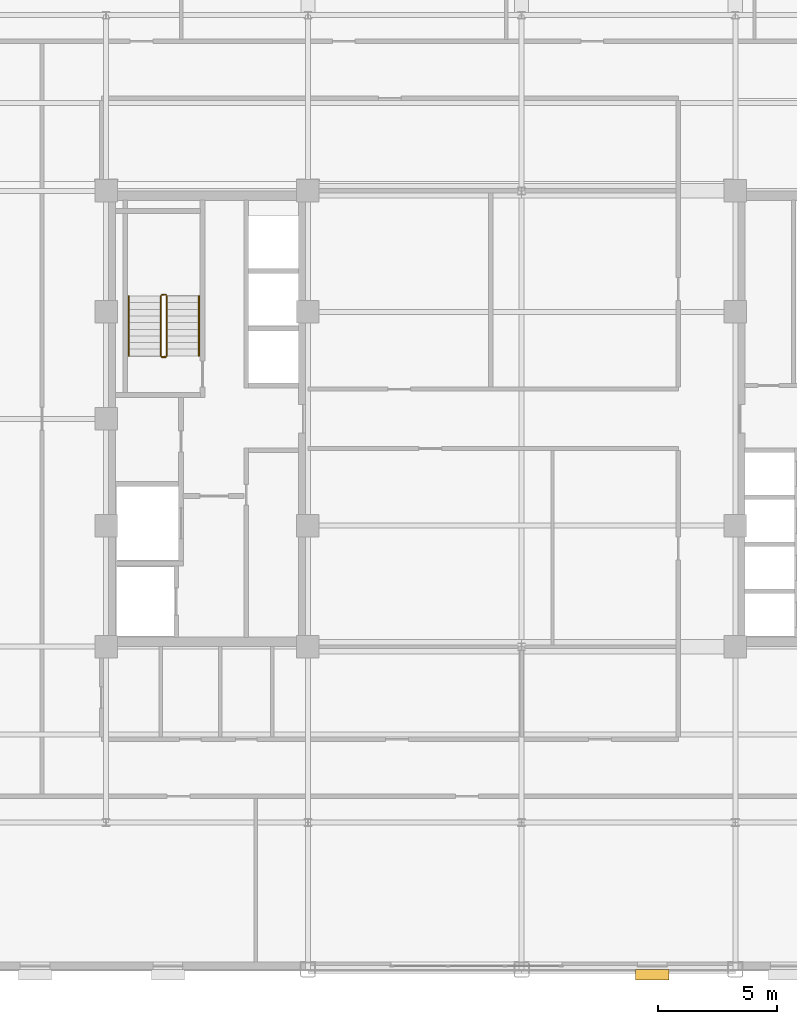
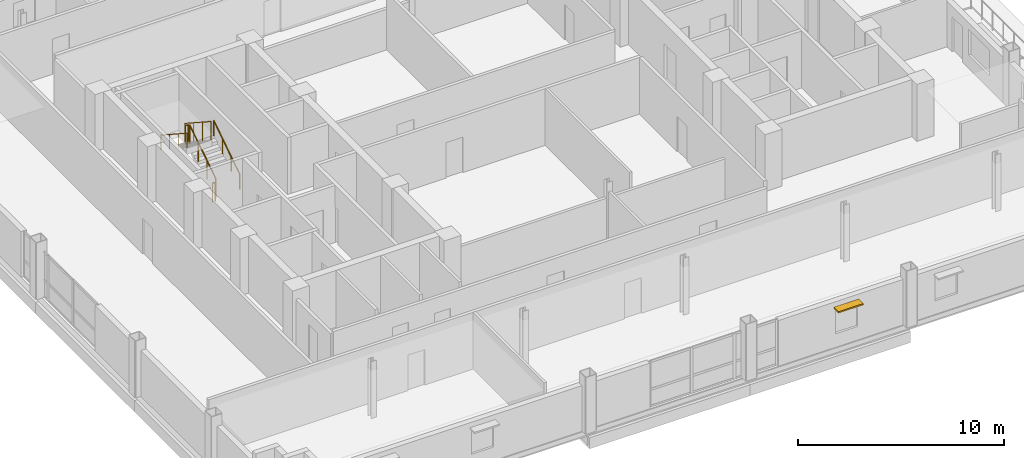
# One storey, part 14 of 17: 6 railings, 1 shading device.
"""IFC4 building model written with IfcOpenShell, lengths in metres."""

from ifc_helpers import new_model, si_unit, direction, frame, origin, origin_2d, place, context, subcontext, project, spatial, rectangle, circle, extrude, source, transform, mapped, material, type_object, type_shapes, element, save


model = new_model("IFC4")

# Units and contexts
model_context = context("Model", 3, precision=1e-05, world=origin(), true_north=direction((0.0, 1.0)))
body_context = subcontext(model_context, "Body", "Model", "MODEL_VIEW")
ifc_project = project(units=[si_unit("LENGTHUNIT", "METRE"), si_unit("AREAUNIT", "SQUARE_METRE"), si_unit("VOLUMEUNIT", "CUBIC_METRE"), si_unit("PLANEANGLEUNIT", "RADIAN"), si_unit("MASSUNIT", "GRAM", prefix="KILO")], contexts=[model_context])

# Site, building, storey
site_placement = place(None, origin())
site = spatial("IfcSite", under=ifc_project, at=site_placement, CompositionType="ELEMENT")
building_placement = place(site_placement, origin())
building = spatial("IfcBuilding", under=site, at=building_placement, Name="Nuvemarco Arch Tower", CompositionType="ELEMENT")
storey_placement = place(building_placement, frame((0.0, 0.0, 167.64990234375)))
storey = spatial("IfcBuildingStorey", under=building, at=storey_placement, Name="L44", CompositionType="ELEMENT", Elevation=167.64990234375)

# Railings
ifc_material_1 = material(Name="Brushed stainless steel handrail", Category="steel")
railing_type_1 = type_object("IfcRailingType", Name="RL-HANDRAIL-900", PredefinedType="HANDRAIL", material=ifc_material_1)
railing_1_placement = place(storey_placement, frame((-13.590087890625, 2.64990234375, 0.1826171875)))
element("IfcRailing", 1, at=railing_1_placement, inside=storey, type_object=railing_type_1, Name="L44 ST-1 stair handrail 1", PredefinedType="HANDRAIL", context=body_context, shape_type="SweptSolid", body=[
    extrude(circle(Radius=0.02392578125, at=origin_2d()), frame((0.0, 0.0, 0.8759765625), z_axis=(0.0, 0.837749427056, 0.546054848405), x_axis=(-1.0, 0.0, 0.0)), (0.0, 0.0, 1.0), 3.008056640625),
    extrude(circle(Radius=0.02099609375, at=origin_2d()), origin(), (0.0, 0.0, 1.0), 0.851806640625),
    extrude(circle(Radius=0.02099609375, at=origin_2d()), frame((0.0, 0.840087890625, 0.547607421875)), (0.0, 0.0, 1.0), 0.851806640625),
    extrude(circle(Radius=0.02099609375, at=origin_2d()), frame((0.0, 1.679931640625, 1.094970703125)), (0.0, 0.0, 1.0), 0.851806640625),
    extrude(circle(Radius=0.02099609375, at=origin_2d()), frame((0.0, 2.52001953125, 1.642578125)), (0.0, 0.0, 1.0), 0.851806640625),
])
railing_2_placement = place(storey_placement, frame((-16.550048828125, 5.169921875, 2.007568359375)))
element("IfcRailing", 2, at=railing_2_placement, inside=storey, type_object=railing_type_1, Name="L44 ST-1 stair handrail 2", PredefinedType="HANDRAIL", context=body_context, shape_type="SweptSolid", body=[
    extrude(circle(Radius=0.02392578125, at=origin_2d()), frame((0.0, 0.0, 0.8759765625), z_axis=(0.0, -0.837749427056, 0.546054848405), x_axis=(1.0, 0.0, 0.0)), (0.0, 0.0, 1.0), 3.008056640625),
    extrude(circle(Radius=0.02099609375, at=origin_2d()), origin(), (0.0, 0.0, 1.0), 0.851806640625),
    extrude(circle(Radius=0.02099609375, at=origin_2d()), frame((0.0, -0.840087890625, 0.547607421875)), (0.0, 0.0, 1.0), 0.851806640625),
    extrude(circle(Radius=0.02099609375, at=origin_2d()), frame((0.0, -1.679931640625, 1.094970703125)), (0.0, 0.0, 1.0), 0.851806640625),
    extrude(circle(Radius=0.02099609375, at=origin_2d()), frame((0.0, -2.52001953125, 1.642578125)), (0.0, 0.0, 1.0), 0.851806640625),
])
ifc_material_2 = material(Name="Painted balustrade steel S355", Category="steel")
railing_type_2 = type_object("IfcRailingType", Name="RL-STAIR-GUARD", PredefinedType="GUARDRAIL", material=ifc_material_2)
railing_3_placement = place(storey_placement, frame((-14.93994140625, 2.64990234375, 0.1826171875)))
element("IfcRailing", 3, at=railing_3_placement, inside=storey, type_object=railing_type_2, Name="L44 ST-1 stair guard 1", PredefinedType="GUARDRAIL", context=body_context, shape_type="SweptSolid", body=[
    extrude(circle(Radius=0.02392578125, at=origin_2d()), frame((0.0, 0.0, 1.09619140625), z_axis=(0.0, 0.837749427056, 0.546054848405), x_axis=(-1.0, 0.0, 0.0)), (0.0, 0.0, 1.0), 3.008056640625),
    extrude(circle(Radius=0.02099609375, at=origin_2d()), origin(), (0.0, 0.0, 1.0), 1.072021484375),
    extrude(circle(Radius=0.02099609375, at=origin_2d()), frame((0.0, 0.840087890625, 0.547607421875)), (0.0, 0.0, 1.0), 1.072021484375),
    extrude(circle(Radius=0.02099609375, at=origin_2d()), frame((0.0, 1.679931640625, 1.094970703125)), (0.0, 0.0, 1.0), 1.072021484375),
    extrude(circle(Radius=0.02099609375, at=origin_2d()), frame((0.0, 2.52001953125, 1.642578125)), (0.0, 0.0, 1.0), 1.072021484375),
])
railing_4_placement = place(storey_placement, frame((-14.989990234375, 5.219970703125, 1.8251953125)))
element("IfcRailing", 4, at=railing_4_placement, inside=storey, type_object=railing_type_2, Name="L44 ST-1 stair guard 2", PredefinedType="GUARDRAIL", context=body_context, shape_type="SweptSolid", body=[
    extrude(circle(Radius=0.02392578125, at=origin_2d()), frame((0.0, 0.0, 1.09619140625), z_axis=(-1.0, 0.0, 0.0), x_axis=(0.0, -1.0, 0.0)), (0.0, 0.0, 1.0), 0.159912109375),
    extrude(circle(Radius=0.02099609375, at=origin_2d()), origin(), (0.0, 0.0, 1.0), 1.072021484375),
    extrude(circle(Radius=0.02099609375, at=origin_2d()), frame((-0.159912109375, 0.0, 0.0)), (0.0, 0.0, 1.0), 1.072021484375),
])
railing_5_placement = place(storey_placement, frame((-15.199951171875, 5.169921875, 2.007568359375)))
element("IfcRailing", 5, at=railing_5_placement, inside=storey, type_object=railing_type_2, Name="L44 ST-1 stair guard 3", PredefinedType="GUARDRAIL", context=body_context, shape_type="SweptSolid", body=[
    extrude(circle(Radius=0.02392578125, at=origin_2d()), frame((0.0, 0.0, 1.09619140625), z_axis=(0.0, -0.837749427056, 0.546054848405), x_axis=(1.0, 0.0, 0.0)), (0.0, 0.0, 1.0), 3.008056640625),
    extrude(circle(Radius=0.02099609375, at=origin_2d()), origin(), (0.0, 0.0, 1.0), 1.072021484375),
    extrude(circle(Radius=0.02099609375, at=origin_2d()), frame((0.0, -0.840087890625, 0.547607421875)), (0.0, 0.0, 1.0), 1.072021484375),
    extrude(circle(Radius=0.02099609375, at=origin_2d()), frame((0.0, -1.679931640625, 1.094970703125)), (0.0, 0.0, 1.0), 1.072021484375),
    extrude(circle(Radius=0.02099609375, at=origin_2d()), frame((0.0, -2.52001953125, 1.642578125)), (0.0, 0.0, 1.0), 1.072021484375),
])
railing_6_placement = place(storey_placement, frame((-14.989990234375, 2.60009765625, 0.0)))
element("IfcRailing", 6, at=railing_6_placement, inside=storey, type_object=railing_type_2, Name="L44 ST-1 stair guard 4", PredefinedType="GUARDRAIL", context=body_context, shape_type="SweptSolid", body=[
    extrude(circle(Radius=0.02392578125, at=origin_2d()), frame((0.0, 0.0, 1.09619140625), z_axis=(-1.0, 0.0, 0.0), x_axis=(0.0, -1.0, 0.0)), (0.0, 0.0, 1.0), 0.159912109375),
    extrude(circle(Radius=0.02099609375, at=origin_2d()), origin(), (0.0, 0.0, 1.0), 1.072021484375),
    extrude(circle(Radius=0.02099609375, at=origin_2d()), frame((-0.159912109375, 0.0, 0.0)), (0.0, 0.0, 1.0), 1.072021484375),
])

# Shading device
ifc_material_3 = material(Name="Anodised aluminium 6063-T6", Category="aluminium")
shading_device_type = type_object("IfcShadingDeviceType", Name="SHD-BRISE-NARROW", PredefinedType="USERDEFINED", material=ifc_material_3)
shared_shape = source(origin(), body_context, "Body", "SweptSolid", [
    extrude(rectangle(XDim=1.39990234375, YDim=0.449951171875, at=origin_2d()), origin(), (0.0, 0.0, 1.0), 0.080078125),
])
type_shapes(shading_device_type, [shared_shape])
shading_device_placement = place(storey_placement, frame((5.5, -23.4150390625, 2.324951171875), z_axis=(0.0, 0.0, 1.0), x_axis=(1.0, 0.0, 0.0)))
element("IfcShadingDevice", 7, at=shading_device_placement, inside=storey, type_object=shading_device_type, Name="L44 horizontal brise-soleil sunshade", ObjectType="SUNSHADE", PredefinedType="USERDEFINED", context=body_context, shape_type="MappedRepresentation", body=[
    mapped(shared_shape, transform((0.0, 0.0, 0.0), scale=1.0)),
])

save(model, "model.ifc")
